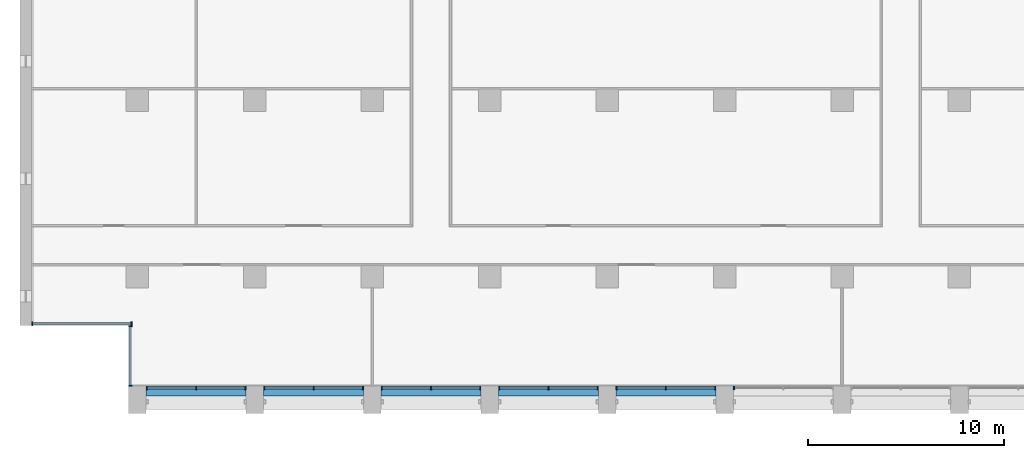
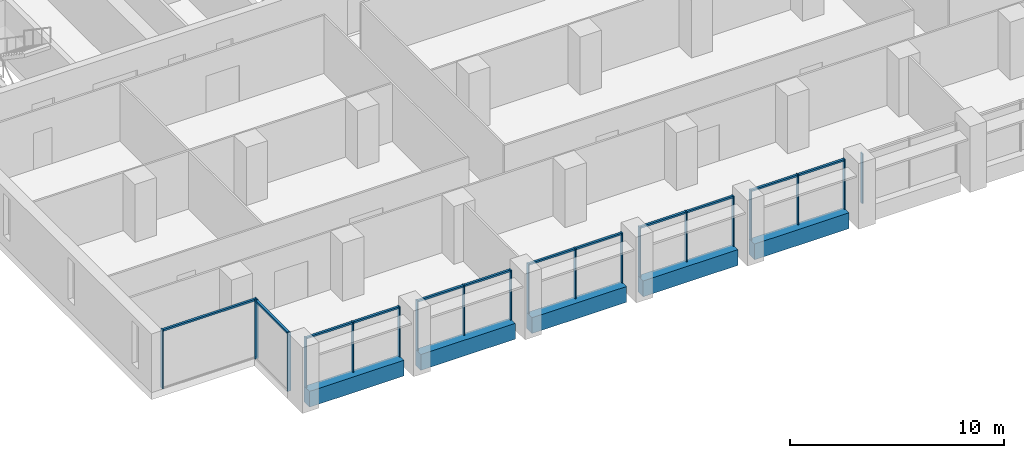
# One storey, part 2 of 16: 32 members, 5 beams, 8 elements without a shape of their own.
"""IFC4 building model written with IfcOpenShell, lengths in metres."""

from ifc_helpers import new_model, si_unit, direction, frame, origin, origin_2d, place, context, subcontext, project, spatial, rectangle, extrude, material, material_profile, profile_set, type_object, element, aggregate, save


model = new_model("IFC4")

# Units and contexts
model_context = context("Model", 3, precision=1e-05, world=origin(), true_north=direction((0.0, 1.0)))
body_context = subcontext(model_context, "Body", "Model", "MODEL_VIEW")
ifc_project = project(units=[si_unit("LENGTHUNIT", "METRE"), si_unit("AREAUNIT", "SQUARE_METRE"), si_unit("VOLUMEUNIT", "CUBIC_METRE"), si_unit("PLANEANGLEUNIT", "RADIAN"), si_unit("MASSUNIT", "GRAM", prefix="KILO")], contexts=[model_context])

# Site, building, storey
site_placement = place(None, origin())
site = spatial("IfcSite", under=ifc_project, at=site_placement, CompositionType="ELEMENT")
building_placement = place(site_placement, origin())
building = spatial("IfcBuilding", under=site, at=building_placement, Name="Calvaro Tower", CompositionType="ELEMENT")
storey_placement = place(building_placement, frame((0.0, 0.0, 178.0)))
storey = spatial("IfcBuildingStorey", under=building, at=storey_placement, Name="L44", CompositionType="ELEMENT", Elevation=178.0)

# Curtain wall, members
ifc_material_1 = material(Name="Anodised aluminium", Category="aluminium")
curtain_wall_type = type_object("IfcCurtainWallType", Name="Office curtain wall, upper zone", PredefinedType="NOTDEFINED", material=ifc_material_1)
curtain_wall_1_placement = place(storey_placement, origin())
curtain_wall_1 = element("IfcCurtainWall", 1, at=curtain_wall_1_placement, inside=storey, type_object=curtain_wall_type, Name="CW3 south curtain wall", PredefinedType="NOTDEFINED")
ifc_material_2 = material(Name="Anodised aluminium", Category="aluminium")
ifc_material_profile_1 = material_profile(ifc_material_2, rectangle(XDim=0.179931640625, YDim=0.06005859375, at=origin_2d()), Name="Mullion S3 60 x 180")
ifc_profile_set_1 = profile_set([ifc_material_profile_1], Name="Anodised aluminium")
member_type_1 = type_object("IfcMemberType", Name="Mullion S3 60 x 180", PredefinedType="MULLION", material=ifc_profile_set_1)
member_1_placement = place(storey_placement, frame((12.47998046875, 4.31005859375, 0.0), z_axis=(0.0, 0.0, 1.0), x_axis=(0.0, 1.0, 0.0)))
member_1 = element("IfcMember", 2, at=member_1_placement, type_object=member_type_1, Name="CW3 mullion 1", PredefinedType="MULLION", context=body_context, shape_type="SweptSolid", body=[
    extrude(rectangle(XDim=0.179931640625, YDim=0.06005859375, at=origin_2d()), origin(), (0.0, 0.0, 1.0), 2.85009765625),
])
member_2_placement = place(storey_placement, frame((15.0, 4.31005859375, 0.0), z_axis=(0.0, 0.0, 1.0), x_axis=(0.0, 1.0, 0.0)))
member_2 = element("IfcMember", 3, at=member_2_placement, type_object=member_type_1, Name="CW3 mullion 2", PredefinedType="MULLION", context=body_context, shape_type="SweptSolid", body=[
    extrude(rectangle(XDim=0.179931640625, YDim=0.06005859375, at=origin_2d()), origin(), (0.0, 0.0, 1.0), 2.85009765625),
])
member_3_placement = place(storey_placement, frame((17.52001953125, 4.31005859375, 0.0), z_axis=(0.0, 0.0, 1.0), x_axis=(0.0, 1.0, 0.0)))
member_3 = element("IfcMember", 4, at=member_3_placement, type_object=member_type_1, Name="CW3 mullion 3", PredefinedType="MULLION", context=body_context, shape_type="SweptSolid", body=[
    extrude(rectangle(XDim=0.179931640625, YDim=0.06005859375, at=origin_2d()), origin(), (0.0, 0.0, 1.0), 2.85009765625),
])

curtain_wall_2_placement = place(storey_placement, origin())
curtain_wall_2 = element("IfcCurtainWall", 5, at=curtain_wall_2_placement, inside=storey, type_object=curtain_wall_type, Name="CW3 south curtain wall", PredefinedType="NOTDEFINED")
member_4_placement = place(storey_placement, frame((18.47998046875, 4.31005859375, 0.0), z_axis=(0.0, 0.0, 1.0), x_axis=(0.0, 1.0, 0.0)))
member_4 = element("IfcMember", 6, at=member_4_placement, type_object=member_type_1, Name="CW3 mullion 1", PredefinedType="MULLION", context=body_context, shape_type="SweptSolid", body=[
    extrude(rectangle(XDim=0.179931640625, YDim=0.06005859375, at=origin_2d()), origin(), (0.0, 0.0, 1.0), 2.85009765625),
])
member_5_placement = place(storey_placement, frame((21.0, 4.31005859375, 0.0), z_axis=(0.0, 0.0, 1.0), x_axis=(0.0, 1.0, 0.0)))
member_5 = element("IfcMember", 7, at=member_5_placement, type_object=member_type_1, Name="CW3 mullion 2", PredefinedType="MULLION", context=body_context, shape_type="SweptSolid", body=[
    extrude(rectangle(XDim=0.179931640625, YDim=0.06005859375, at=origin_2d()), origin(), (0.0, 0.0, 1.0), 2.85009765625),
])
member_6_placement = place(storey_placement, frame((23.52001953125, 4.31005859375, 0.0), z_axis=(0.0, 0.0, 1.0), x_axis=(0.0, 1.0, 0.0)))
member_6 = element("IfcMember", 8, at=member_6_placement, type_object=member_type_1, Name="CW3 mullion 3", PredefinedType="MULLION", context=body_context, shape_type="SweptSolid", body=[
    extrude(rectangle(XDim=0.179931640625, YDim=0.06005859375, at=origin_2d()), origin(), (0.0, 0.0, 1.0), 2.85009765625),
])

curtain_wall_3_placement = place(storey_placement, origin())
curtain_wall_3 = element("IfcCurtainWall", 9, at=curtain_wall_3_placement, inside=storey, type_object=curtain_wall_type, Name="CW3 south curtain wall", PredefinedType="NOTDEFINED")
member_7_placement = place(storey_placement, frame((24.47998046875, 4.31005859375, 0.0), z_axis=(0.0, 0.0, 1.0), x_axis=(0.0, 1.0, 0.0)))
member_7 = element("IfcMember", 10, at=member_7_placement, type_object=member_type_1, Name="CW3 mullion 1", PredefinedType="MULLION", context=body_context, shape_type="SweptSolid", body=[
    extrude(rectangle(XDim=0.179931640625, YDim=0.06005859375, at=origin_2d()), origin(), (0.0, 0.0, 1.0), 2.85009765625),
])
member_8_placement = place(storey_placement, frame((27.0, 4.31005859375, 0.0), z_axis=(0.0, 0.0, 1.0), x_axis=(0.0, 1.0, 0.0)))
member_8 = element("IfcMember", 11, at=member_8_placement, type_object=member_type_1, Name="CW3 mullion 2", PredefinedType="MULLION", context=body_context, shape_type="SweptSolid", body=[
    extrude(rectangle(XDim=0.179931640625, YDim=0.06005859375, at=origin_2d()), origin(), (0.0, 0.0, 1.0), 2.85009765625),
])
member_9_placement = place(storey_placement, frame((29.52001953125, 4.31005859375, 0.0), z_axis=(0.0, 0.0, 1.0), x_axis=(0.0, 1.0, 0.0)))
member_9 = element("IfcMember", 12, at=member_9_placement, type_object=member_type_1, Name="CW3 mullion 3", PredefinedType="MULLION", context=body_context, shape_type="SweptSolid", body=[
    extrude(rectangle(XDim=0.179931640625, YDim=0.06005859375, at=origin_2d()), origin(), (0.0, 0.0, 1.0), 2.85009765625),
])

curtain_wall_4_placement = place(storey_placement, origin())
curtain_wall_4 = element("IfcCurtainWall", 13, at=curtain_wall_4_placement, inside=storey, type_object=curtain_wall_type, Name="CW3 south curtain wall", PredefinedType="NOTDEFINED")
member_10_placement = place(storey_placement, frame((30.47998046875, 4.31005859375, 0.0), z_axis=(0.0, 0.0, 1.0), x_axis=(0.0, 1.0, 0.0)))
member_10 = element("IfcMember", 14, at=member_10_placement, type_object=member_type_1, Name="CW3 mullion 1", PredefinedType="MULLION", context=body_context, shape_type="SweptSolid", body=[
    extrude(rectangle(XDim=0.179931640625, YDim=0.06005859375, at=origin_2d()), origin(), (0.0, 0.0, 1.0), 2.85009765625),
])
member_11_placement = place(storey_placement, frame((33.0, 4.31005859375, 0.0), z_axis=(0.0, 0.0, 1.0), x_axis=(0.0, 1.0, 0.0)))
member_11 = element("IfcMember", 15, at=member_11_placement, type_object=member_type_1, Name="CW3 mullion 2", PredefinedType="MULLION", context=body_context, shape_type="SweptSolid", body=[
    extrude(rectangle(XDim=0.179931640625, YDim=0.06005859375, at=origin_2d()), origin(), (0.0, 0.0, 1.0), 2.85009765625),
])
member_12_placement = place(storey_placement, frame((35.52001953125, 4.31005859375, 0.0), z_axis=(0.0, 0.0, 1.0), x_axis=(0.0, 1.0, 0.0)))
member_12 = element("IfcMember", 16, at=member_12_placement, type_object=member_type_1, Name="CW3 mullion 3", PredefinedType="MULLION", context=body_context, shape_type="SweptSolid", body=[
    extrude(rectangle(XDim=0.179931640625, YDim=0.06005859375, at=origin_2d()), origin(), (0.0, 0.0, 1.0), 2.85009765625),
])

curtain_wall_5_placement = place(storey_placement, origin())
curtain_wall_5 = element("IfcCurtainWall", 17, at=curtain_wall_5_placement, inside=storey, type_object=curtain_wall_type, Name="CW3 south curtain wall", PredefinedType="NOTDEFINED")
member_13_placement = place(storey_placement, frame((36.47998046875, 4.31005859375, 0.0), z_axis=(0.0, 0.0, 1.0), x_axis=(0.0, 1.0, 0.0)))
member_13 = element("IfcMember", 18, at=member_13_placement, type_object=member_type_1, Name="CW3 mullion 1", PredefinedType="MULLION", context=body_context, shape_type="SweptSolid", body=[
    extrude(rectangle(XDim=0.179931640625, YDim=0.06005859375, at=origin_2d()), origin(), (0.0, 0.0, 1.0), 2.85009765625),
])
member_14_placement = place(storey_placement, frame((39.0, 4.31005859375, 0.0), z_axis=(0.0, 0.0, 1.0), x_axis=(0.0, 1.0, 0.0)))
member_14 = element("IfcMember", 19, at=member_14_placement, type_object=member_type_1, Name="CW3 mullion 2", PredefinedType="MULLION", context=body_context, shape_type="SweptSolid", body=[
    extrude(rectangle(XDim=0.179931640625, YDim=0.06005859375, at=origin_2d()), origin(), (0.0, 0.0, 1.0), 2.85009765625),
])
member_15_placement = place(storey_placement, frame((41.52001953125, 4.31005859375, 0.0), z_axis=(0.0, 0.0, 1.0), x_axis=(0.0, 1.0, 0.0)))
member_15 = element("IfcMember", 20, at=member_15_placement, type_object=member_type_1, Name="CW3 mullion 3", PredefinedType="MULLION", context=body_context, shape_type="SweptSolid", body=[
    extrude(rectangle(XDim=0.179931640625, YDim=0.06005859375, at=origin_2d()), origin(), (0.0, 0.0, 1.0), 2.85009765625),
])

# Curtain wall, member
curtain_wall_6_placement = place(storey_placement, origin())
curtain_wall_6 = element("IfcCurtainWall", 21, at=curtain_wall_6_placement, inside=storey, type_object=curtain_wall_type, Name="CW3 south curtain wall", PredefinedType="NOTDEFINED")
member_16_placement = place(storey_placement, frame((42.47998046875, 4.31005859375, 0.0), z_axis=(0.0, 0.0, 1.0), x_axis=(0.0, 1.0, 0.0)))
member_16 = element("IfcMember", 22, at=member_16_placement, type_object=member_type_1, Name="CW3 mullion 1", PredefinedType="MULLION", context=body_context, shape_type="SweptSolid", body=[
    extrude(rectangle(XDim=0.179931640625, YDim=0.06005859375, at=origin_2d()), origin(), (0.0, 0.0, 1.0), 2.85009765625),
])
aggregate(curtain_wall_6, [member_16])

# Curtain wall, members
curtain_wall_7_placement = place(storey_placement, origin())
curtain_wall_7 = element("IfcCurtainWall", 23, at=curtain_wall_7_placement, inside=storey, type_object=curtain_wall_type, Name="CW3 corner curtain wall", PredefinedType="NOTDEFINED")
member_17_placement = place(storey_placement, frame((11.639892578125, 4.429931640625, 0.0), z_axis=(0.0, 0.0, 1.0), x_axis=(-1.0, 0.0, 0.0)))
member_17 = element("IfcMember", 24, at=member_17_placement, type_object=member_type_1, Name="CW3 mullion 1", PredefinedType="MULLION", context=body_context, shape_type="SweptSolid", body=[
    extrude(rectangle(XDim=0.179931640625, YDim=0.06005859375, at=origin_2d()), origin(), (0.0, 0.0, 1.0), 3.35009765625),
])
member_18_placement = place(storey_placement, frame((11.639892578125, 7.469970703125, 0.0), z_axis=(0.0, 0.0, 1.0), x_axis=(-1.0, 0.0, 0.0)))
member_18 = element("IfcMember", 25, at=member_18_placement, type_object=member_type_1, Name="CW3 mullion 2", PredefinedType="MULLION", context=body_context, shape_type="SweptSolid", body=[
    extrude(rectangle(XDim=0.179931640625, YDim=0.06005859375, at=origin_2d()), origin(), (0.0, 0.0, 1.0), 3.35009765625),
])

curtain_wall_8_placement = place(storey_placement, origin())
curtain_wall_8 = element("IfcCurtainWall", 26, at=curtain_wall_8_placement, inside=storey, type_object=curtain_wall_type, Name="CW3 corner curtain wall", PredefinedType="NOTDEFINED")
member_19_placement = place(storey_placement, frame((6.6298828125, 7.590087890625, 0.0), z_axis=(0.0, 0.0, 1.0), x_axis=(0.0, 1.0, 0.0)))
member_19 = element("IfcMember", 27, at=member_19_placement, type_object=member_type_1, Name="CW3 mullion 1", PredefinedType="MULLION", context=body_context, shape_type="SweptSolid", body=[
    extrude(rectangle(XDim=0.179931640625, YDim=0.06005859375, at=origin_2d()), origin(), (0.0, 0.0, 1.0), 3.35009765625),
])
member_20_placement = place(storey_placement, frame((11.699951171875, 7.590087890625, 0.0), z_axis=(0.0, 0.0, 1.0), x_axis=(0.0, 1.0, 0.0)))
member_20 = element("IfcMember", 28, at=member_20_placement, type_object=member_type_1, Name="CW3 mullion 2", PredefinedType="MULLION", context=body_context, shape_type="SweptSolid", body=[
    extrude(rectangle(XDim=0.179931640625, YDim=0.06005859375, at=origin_2d()), origin(), (0.0, 0.0, 1.0), 3.35009765625),
])

# Beams
ifc_material_3 = material(Name="Concrete C50/60 precast", Category="concrete")
ifc_material_profile_2 = material_profile(ifc_material_3, rectangle(XDim=0.5, YDim=0.89990234375, at=origin_2d()), Name="RC 500x900")
ifc_profile_set_2 = profile_set([ifc_material_profile_2], Name="Concrete C50/60 precast")
beam_type = type_object("IfcBeamType", Name="Spandrel beam 500x900 C50/60", PredefinedType="SPANDREL", material=ifc_profile_set_2)
for number, where, z_axis, x_axis, name in (
    (29, (12.449951171875, 4.14990234375, -0.449951171875), (1.0, 0.0, 0.0), (0.0, 1.0, 0.0), "Spandrel beam"),
    (30, (18.449951171875, 4.14990234375, -0.449951171875), (1.0, 0.0, 0.0), (0.0, 1.0, 0.0), "Spandrel beam"),
    (31, (24.449951171875, 4.14990234375, -0.449951171875), (1.0, 0.0, 0.0), (0.0, 1.0, 0.0), "Spandrel beam"),
    (32, (30.449951171875, 4.14990234375, -0.449951171875), (1.0, 0.0, 0.0), (0.0, 1.0, 0.0), "Spandrel beam"),
    (33, (36.449951171875, 4.14990234375, -0.449951171875), (1.0, 0.0, 0.0), (0.0, 1.0, 0.0), "Spandrel beam"),
):
    element("IfcBeam", number, at=place(storey_placement, frame(where, z_axis=z_axis, x_axis=x_axis)), inside=storey, type_object=beam_type, Name=name, PredefinedType="SPANDREL", context=body_context, shape_type="SweptSolid", body=[
        extrude(rectangle(XDim=0.5, YDim=0.89990234375, at=origin_2d()), origin(), (0.0, 0.0, 1.0), 5.10009765625),
    ])

# Member
ifc_material_4 = material(Name="Anodised aluminium", Category="aluminium")
ifc_material_profile_3 = material_profile(ifc_material_4, rectangle(XDim=0.1201171875, YDim=0.10009765625, at=origin_2d()), Name="Transom S3 100 x 120")
ifc_profile_set_3 = profile_set([ifc_material_profile_3], Name="Anodised aluminium")
member_type_2 = type_object("IfcMemberType", Name="Transom S3 100 x 120", PredefinedType="USERDEFINED", material=ifc_profile_set_3)
member_21_placement = place(storey_placement, frame((12.510009765625, 4.31005859375, 2.800048828125), z_axis=(1.0, 0.0, 0.0), x_axis=(0.0, 1.0, 0.0)))
member_21 = element("IfcMember", 34, at=member_21_placement, type_object=member_type_2, Name="CW3 transom 1.1", ObjectType="TRANSOM", PredefinedType="USERDEFINED", context=body_context, shape_type="SweptSolid", body=[
    extrude(rectangle(XDim=0.1201171875, YDim=0.10009765625, at=origin_2d()), origin(), (0.0, 0.0, 1.0), 2.4599609375),
])

member_22_placement = place(storey_placement, frame((15.030029296875, 4.31005859375, 2.800048828125), z_axis=(1.0, 0.0, 0.0), x_axis=(0.0, 1.0, 0.0)))
member_22 = element("IfcMember", 35, at=member_22_placement, type_object=member_type_2, Name="CW3 transom 2.1", ObjectType="TRANSOM", PredefinedType="USERDEFINED", context=body_context, shape_type="SweptSolid", body=[
    extrude(rectangle(XDim=0.1201171875, YDim=0.10009765625, at=origin_2d()), origin(), (0.0, 0.0, 1.0), 2.4599609375),
])

aggregate(curtain_wall_1, [member_1, member_2, member_3, member_21, member_22])

member_23_placement = place(storey_placement, frame((18.510009765625, 4.31005859375, 2.800048828125), z_axis=(1.0, 0.0, 0.0), x_axis=(0.0, 1.0, 0.0)))
member_23 = element("IfcMember", 36, at=member_23_placement, type_object=member_type_2, Name="CW3 transom 1.1", ObjectType="TRANSOM", PredefinedType="USERDEFINED", context=body_context, shape_type="SweptSolid", body=[
    extrude(rectangle(XDim=0.1201171875, YDim=0.10009765625, at=origin_2d()), origin(), (0.0, 0.0, 1.0), 2.4599609375),
])

member_24_placement = place(storey_placement, frame((21.030029296875, 4.31005859375, 2.800048828125), z_axis=(1.0, 0.0, 0.0), x_axis=(0.0, 1.0, 0.0)))
member_24 = element("IfcMember", 37, at=member_24_placement, type_object=member_type_2, Name="CW3 transom 2.1", ObjectType="TRANSOM", PredefinedType="USERDEFINED", context=body_context, shape_type="SweptSolid", body=[
    extrude(rectangle(XDim=0.1201171875, YDim=0.10009765625, at=origin_2d()), origin(), (0.0, 0.0, 1.0), 2.4599609375),
])

aggregate(curtain_wall_2, [member_4, member_5, member_6, member_23, member_24])

member_25_placement = place(storey_placement, frame((24.510009765625, 4.31005859375, 2.800048828125), z_axis=(1.0, 0.0, 0.0), x_axis=(0.0, 1.0, 0.0)))
member_25 = element("IfcMember", 38, at=member_25_placement, type_object=member_type_2, Name="CW3 transom 1.1", ObjectType="TRANSOM", PredefinedType="USERDEFINED", context=body_context, shape_type="SweptSolid", body=[
    extrude(rectangle(XDim=0.1201171875, YDim=0.10009765625, at=origin_2d()), origin(), (0.0, 0.0, 1.0), 2.4599609375),
])

member_26_placement = place(storey_placement, frame((27.030029296875, 4.31005859375, 2.800048828125), z_axis=(1.0, 0.0, 0.0), x_axis=(0.0, 1.0, 0.0)))
member_26 = element("IfcMember", 39, at=member_26_placement, type_object=member_type_2, Name="CW3 transom 2.1", ObjectType="TRANSOM", PredefinedType="USERDEFINED", context=body_context, shape_type="SweptSolid", body=[
    extrude(rectangle(XDim=0.1201171875, YDim=0.10009765625, at=origin_2d()), origin(), (0.0, 0.0, 1.0), 2.4599609375),
])

aggregate(curtain_wall_3, [member_7, member_8, member_9, member_25, member_26])

member_27_placement = place(storey_placement, frame((30.510009765625, 4.31005859375, 2.800048828125), z_axis=(1.0, 0.0, 0.0), x_axis=(0.0, 1.0, 0.0)))
member_27 = element("IfcMember", 40, at=member_27_placement, type_object=member_type_2, Name="CW3 transom 1.1", ObjectType="TRANSOM", PredefinedType="USERDEFINED", context=body_context, shape_type="SweptSolid", body=[
    extrude(rectangle(XDim=0.1201171875, YDim=0.10009765625, at=origin_2d()), origin(), (0.0, 0.0, 1.0), 2.4599609375),
])

member_28_placement = place(storey_placement, frame((33.030029296875, 4.31005859375, 2.800048828125), z_axis=(1.0, 0.0, 0.0), x_axis=(0.0, 1.0, 0.0)))
member_28 = element("IfcMember", 41, at=member_28_placement, type_object=member_type_2, Name="CW3 transom 2.1", ObjectType="TRANSOM", PredefinedType="USERDEFINED", context=body_context, shape_type="SweptSolid", body=[
    extrude(rectangle(XDim=0.1201171875, YDim=0.10009765625, at=origin_2d()), origin(), (0.0, 0.0, 1.0), 2.4599609375),
])

aggregate(curtain_wall_4, [member_10, member_11, member_12, member_27, member_28])

member_29_placement = place(storey_placement, frame((36.510009765625, 4.31005859375, 2.800048828125), z_axis=(1.0, 0.0, 0.0), x_axis=(0.0, 1.0, 0.0)))
member_29 = element("IfcMember", 42, at=member_29_placement, type_object=member_type_2, Name="CW3 transom 1.1", ObjectType="TRANSOM", PredefinedType="USERDEFINED", context=body_context, shape_type="SweptSolid", body=[
    extrude(rectangle(XDim=0.1201171875, YDim=0.10009765625, at=origin_2d()), origin(), (0.0, 0.0, 1.0), 2.4599609375),
])

member_30_placement = place(storey_placement, frame((39.030029296875, 4.31005859375, 2.800048828125), z_axis=(1.0, 0.0, 0.0), x_axis=(0.0, 1.0, 0.0)))
member_30 = element("IfcMember", 43, at=member_30_placement, type_object=member_type_2, Name="CW3 transom 2.1", ObjectType="TRANSOM", PredefinedType="USERDEFINED", context=body_context, shape_type="SweptSolid", body=[
    extrude(rectangle(XDim=0.1201171875, YDim=0.10009765625, at=origin_2d()), origin(), (0.0, 0.0, 1.0), 2.4599609375),
])

aggregate(curtain_wall_5, [member_13, member_14, member_15, member_29, member_30])

member_31_placement = place(storey_placement, frame((11.639892578125, 4.4599609375, 3.300048828125), z_axis=(0.0, 1.0, 0.0), x_axis=(-1.0, 0.0, 0.0)))
member_31 = element("IfcMember", 44, at=member_31_placement, type_object=member_type_2, Name="CW3 transom 1.1", ObjectType="TRANSOM", PredefinedType="USERDEFINED", context=body_context, shape_type="SweptSolid", body=[
    extrude(rectangle(XDim=0.1201171875, YDim=0.10009765625, at=origin_2d()), origin(), (0.0, 0.0, 1.0), 2.97998046875),
])

aggregate(curtain_wall_7, [member_17, member_18, member_31])

member_32_placement = place(storey_placement, frame((6.659912109375, 7.590087890625, 3.300048828125), z_axis=(1.0, 0.0, 0.0), x_axis=(0.0, 1.0, 0.0)))
member_32 = element("IfcMember", 45, at=member_32_placement, type_object=member_type_2, Name="CW3 transom 1.1", ObjectType="TRANSOM", PredefinedType="USERDEFINED", context=body_context, shape_type="SweptSolid", body=[
    extrude(rectangle(XDim=0.1201171875, YDim=0.10009765625, at=origin_2d()), origin(), (0.0, 0.0, 1.0), 5.010009765625),
])

aggregate(curtain_wall_8, [member_19, member_20, member_32])

save(model, "model.ifc")
